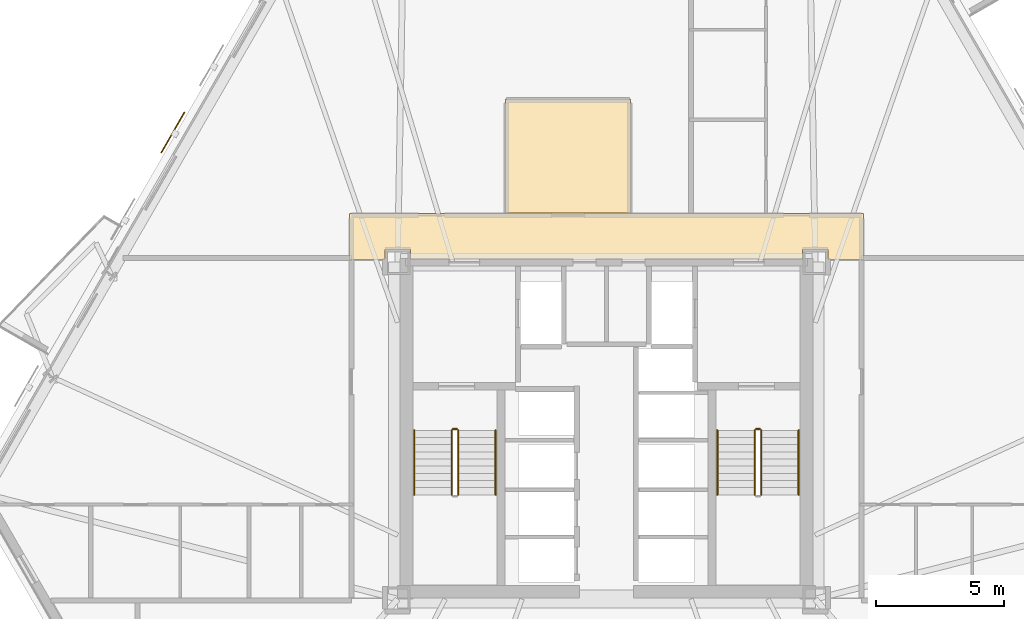
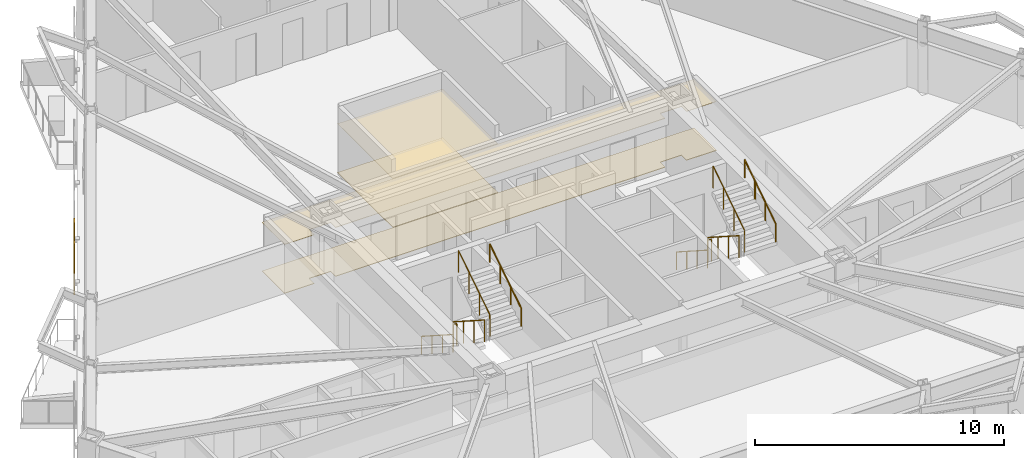
# One storey, part 11 of 12: 10 railings, 4 coverings, 1 shading device.
"""IFC4 building model written with IfcOpenShell, lengths in metres."""

from ifc_helpers import new_model, si_unit, direction, frame, origin, origin_2d, place, context, subcontext, project, spatial, polyline, rectangle, circle, outline, extrude, material, layer, layer_set, type_object, element, save


model = new_model("IFC4")

# Units and contexts
model_context = context("Model", 3, precision=1e-05, world=origin(), true_north=direction((0.0, 1.0)))
body_context = subcontext(model_context, "Body", "Model", "MODEL_VIEW")
ifc_project = project(units=[si_unit("LENGTHUNIT", "METRE"), si_unit("AREAUNIT", "SQUARE_METRE"), si_unit("VOLUMEUNIT", "CUBIC_METRE"), si_unit("PLANEANGLEUNIT", "RADIAN"), si_unit("MASSUNIT", "GRAM", prefix="KILO")], contexts=[model_context])

# Site, building, storey
site_placement = place(None, origin())
site = spatial("IfcSite", under=ifc_project, at=site_placement, CompositionType="ELEMENT")
building_placement = place(site_placement, origin())
building = spatial("IfcBuilding", under=site, at=building_placement, Name="Oramaril Tower", CompositionType="ELEMENT")
storey_placement = place(building_placement, frame((0.0, 0.0, 30.89990234375)))
storey = spatial("IfcBuildingStorey", under=building, at=storey_placement, Name="L07", CompositionType="ELEMENT", Elevation=30.89990234375)

# Coverings
ifc_material_1 = material(Name="Mineral Fibre Acoustic Ceiling")
ifc_layer_1 = layer(ifc_material_1, 0.02001953125)
ifc_layer_set_1 = layer_set([ifc_layer_1], Name="CVT-CEIL")
covering_type_1 = type_object("IfcCoveringType", Name="CVT-CEIL", PredefinedType="CEILING", material=ifc_layer_set_1)
covering_1_placement = place(storey_placement, frame((0.0, 0.0, 2.400146484375)))
element("IfcCovering", 1, at=covering_1_placement, inside=storey, type_object=covering_type_1, Name="L07 Acoustic Suspended Ceiling 2", PredefinedType="CEILING", context=body_context, shape_type="SweptSolid", body=[
    extrude(outline(polyline([(47.530029296875, 24.239990234375), (46.14501953125, 24.239990234375), (46.14501953125, 24.64501953125), (45.155029296875, 24.64501953125), (45.155029296875, 24.25), (29.844970703125, 24.25), (29.844970703125, 24.64501953125), (28.85498046875, 24.64501953125), (28.85498046875, 24.239990234375), (27.469970703125, 24.239990234375), (27.469970703125, 26.050048828125), (47.530029296875, 26.050048828125), (47.530029296875, 24.239990234375)])), origin(), (0.0, 0.0, 1.0), 0.02001953125),
])
covering_2_placement = place(storey_placement, frame((0.0, 0.0, 2.400146484375)))
element("IfcCovering", 2, at=covering_2_placement, inside=storey, type_object=covering_type_1, Name="L07 Acoustic Suspended Ceiling 5", PredefinedType="CEILING", context=body_context, shape_type="SweptSolid", body=[
    extrude(outline(polyline([(38.44189453125, 30.511962890625), (38.44189453125, 26.070068359375), (33.55810546875, 26.070068359375), (33.55810546875, 30.511962890625), (38.44189453125, 30.511962890625)])), origin(), (0.0, 0.0, 1.0), 0.02001953125),
])
ifc_material_2 = material(Name="Honed Quartzite Stone Flooring", Category="masonry")
ifc_layer_2 = layer(ifc_material_2, 0.02490234375)
ifc_layer_set_2 = layer_set([ifc_layer_2], Name="CVT-FLR")
covering_type_2 = type_object("IfcCoveringType", Name="CVT-FLR", PredefinedType="FLOORING", material=ifc_layer_set_2)
covering_3_placement = place(storey_placement, origin())
element("IfcCovering", 3, at=covering_3_placement, inside=storey, type_object=covering_type_2, Name="L07 Honed Stone Floor Finish 2", PredefinedType="FLOORING", context=body_context, shape_type="SweptSolid", body=[
    extrude(outline(polyline([(47.530029296875, 24.239990234375), (46.14501953125, 24.239990234375), (46.14501953125, 24.64501953125), (45.155029296875, 24.64501953125), (45.155029296875, 24.25), (29.844970703125, 24.25), (29.844970703125, 24.64501953125), (28.85498046875, 24.64501953125), (28.85498046875, 24.239990234375), (27.469970703125, 24.239990234375), (27.469970703125, 26.050048828125), (47.530029296875, 26.050048828125), (47.530029296875, 24.239990234375)])), origin(), (0.0, 0.0, 1.0), 0.025146484375),
])
covering_4_placement = place(storey_placement, origin())
element("IfcCovering", 4, at=covering_4_placement, inside=storey, type_object=covering_type_2, Name="L07 Honed Stone Floor Finish 5", PredefinedType="FLOORING", context=body_context, shape_type="SweptSolid", body=[
    extrude(outline(polyline([(38.44189453125, 30.511962890625), (38.44189453125, 26.070068359375), (33.55810546875, 26.070068359375), (33.55810546875, 30.511962890625), (38.44189453125, 30.511962890625)])), origin(), (0.0, 0.0, 1.0), 0.025146484375),
])

# Railings
ifc_material_3 = material(Name="Stainless Steel 316L", Category="steel")
railing_type_1 = type_object("IfcRailingType", Name="RLT-GRD", PredefinedType="GUARDRAIL", material=ifc_material_3)
railing_1_placement = place(storey_placement, frame((31.4599609375, 17.590087890625, 0.18017578125)))
element("IfcRailing", 5, at=railing_1_placement, inside=storey, type_object=railing_type_1, Name="L07 ST-1 stair guard 1", PredefinedType="GUARDRAIL", context=body_context, shape_type="SweptSolid", body=[
    extrude(circle(Radius=0.02392578125, at=origin_2d()), frame((0.0, 0.0, 1.076171875), z_axis=(0.0, -0.841199657755, 0.540724639528), x_axis=(1.0, 0.0, 0.0)), (0.0, 0.0, 1.0), 2.995849609375),
    extrude(circle(Radius=0.02099609375, at=origin_2d()), origin(), (0.0, 0.0, 1.0), 1.052001953125),
    extrude(circle(Radius=0.02099609375, at=origin_2d()), frame((0.0, -0.840087890625, 0.5400390625)), (0.0, 0.0, 1.0), 1.052001953125),
    extrude(circle(Radius=0.02099609375, at=origin_2d()), frame((0.0, -1.679931640625, 1.079833984375)), (0.0, 0.0, 1.0), 1.052001953125),
    extrude(circle(Radius=0.02099609375, at=origin_2d()), frame((0.0, -2.52001953125, 1.619873046875)), (0.0, 0.0, 1.0), 1.052001953125),
])
railing_2_placement = place(storey_placement, frame((31.7099609375, 15.070068359375, 1.97998046875)))
element("IfcRailing", 6, at=railing_2_placement, inside=storey, type_object=railing_type_1, Name="L07 ST-1 stair guard 3", PredefinedType="GUARDRAIL", context=body_context, shape_type="SweptSolid", body=[
    extrude(circle(Radius=0.02392578125, at=origin_2d()), frame((0.0, 0.0, 1.076171875), z_axis=(0.0, 0.841162588446, 0.540782303519), x_axis=(-1.0, 0.0, 0.0)), (0.0, 0.0, 1.0), 2.995849609375),
    extrude(circle(Radius=0.02099609375, at=origin_2d()), origin(), (0.0, 0.0, 1.0), 1.052001953125),
    extrude(circle(Radius=0.02099609375, at=origin_2d()), frame((0.0, 0.840087890625, 0.5400390625)), (0.0, 0.0, 1.0), 1.052001953125),
    extrude(circle(Radius=0.02099609375, at=origin_2d()), frame((0.0, 1.679931640625, 1.080078125)), (0.0, 0.0, 1.0), 1.052001953125),
    extrude(circle(Radius=0.02099609375, at=origin_2d()), frame((0.0, 2.52001953125, 1.6201171875)), (0.0, 0.0, 1.0), 1.052001953125),
])
railing_3_placement = place(storey_placement, frame((31.510009765625, 17.639892578125, 0.0)))
element("IfcRailing", 7, at=railing_3_placement, inside=storey, type_object=railing_type_1, Name="L07 ST-1 stair guard 4", PredefinedType="GUARDRAIL", context=body_context, shape_type="SweptSolid", body=[
    extrude(circle(Radius=0.02392578125, at=origin_2d()), frame((0.0, 0.0, 1.076171875), z_axis=(1.0, 0.0, 0.0), x_axis=(0.0, 1.0, 0.0)), (0.0, 0.0, 1.0), 0.14990234375),
    extrude(circle(Radius=0.02099609375, at=origin_2d()), origin(), (0.0, 0.0, 1.0), 1.052001953125),
    extrude(circle(Radius=0.02099609375, at=origin_2d()), frame((0.14990234375, 0.0, 0.0)), (0.0, 0.0, 1.0), 1.052001953125),
])
railing_4_placement = place(storey_placement, frame((43.2900390625, 17.590087890625, 0.18017578125)))
element("IfcRailing", 8, at=railing_4_placement, inside=storey, type_object=railing_type_1, Name="L07 ST-2 stair guard 1", PredefinedType="GUARDRAIL", context=body_context, shape_type="SweptSolid", body=[
    extrude(circle(Radius=0.02392578125, at=origin_2d()), frame((0.0, 0.0, 1.076171875), z_axis=(0.0, -0.841199657755, 0.540724639528), x_axis=(1.0, 0.0, 0.0)), (0.0, 0.0, 1.0), 2.995849609375),
    extrude(circle(Radius=0.02099609375, at=origin_2d()), origin(), (0.0, 0.0, 1.0), 1.052001953125),
    extrude(circle(Radius=0.02099609375, at=origin_2d()), frame((0.0, -0.840087890625, 0.5400390625)), (0.0, 0.0, 1.0), 1.052001953125),
    extrude(circle(Radius=0.02099609375, at=origin_2d()), frame((0.0, -1.679931640625, 1.079833984375)), (0.0, 0.0, 1.0), 1.052001953125),
    extrude(circle(Radius=0.02099609375, at=origin_2d()), frame((0.0, -2.52001953125, 1.619873046875)), (0.0, 0.0, 1.0), 1.052001953125),
])
railing_5_placement = place(storey_placement, frame((43.5400390625, 15.070068359375, 1.97998046875)))
element("IfcRailing", 9, at=railing_5_placement, inside=storey, type_object=railing_type_1, Name="L07 ST-2 stair guard 3", PredefinedType="GUARDRAIL", context=body_context, shape_type="SweptSolid", body=[
    extrude(circle(Radius=0.02392578125, at=origin_2d()), frame((0.0, 0.0, 1.076171875), z_axis=(0.0, 0.841162588446, 0.540782303519), x_axis=(-1.0, 0.0, 0.0)), (0.0, 0.0, 1.0), 2.995849609375),
    extrude(circle(Radius=0.02099609375, at=origin_2d()), origin(), (0.0, 0.0, 1.0), 1.052001953125),
    extrude(circle(Radius=0.02099609375, at=origin_2d()), frame((0.0, 0.840087890625, 0.5400390625)), (0.0, 0.0, 1.0), 1.052001953125),
    extrude(circle(Radius=0.02099609375, at=origin_2d()), frame((0.0, 1.679931640625, 1.080078125)), (0.0, 0.0, 1.0), 1.052001953125),
    extrude(circle(Radius=0.02099609375, at=origin_2d()), frame((0.0, 2.52001953125, 1.6201171875)), (0.0, 0.0, 1.0), 1.052001953125),
])
railing_6_placement = place(storey_placement, frame((43.340087890625, 17.639892578125, 0.0)))
element("IfcRailing", 10, at=railing_6_placement, inside=storey, type_object=railing_type_1, Name="L07 ST-2 stair guard 4", PredefinedType="GUARDRAIL", context=body_context, shape_type="SweptSolid", body=[
    extrude(circle(Radius=0.02392578125, at=origin_2d()), frame((0.0, 0.0, 1.076171875), z_axis=(1.0, 0.0, 0.0), x_axis=(0.0, 1.0, 0.0)), (0.0, 0.0, 1.0), 0.14990234375),
    extrude(circle(Radius=0.02099609375, at=origin_2d()), origin(), (0.0, 0.0, 1.0), 1.052001953125),
    extrude(circle(Radius=0.02099609375, at=origin_2d()), frame((0.14990234375, 0.0, 0.0)), (0.0, 0.0, 1.0), 1.052001953125),
])
ifc_material_4 = material(Name="Stainless Steel 316L", Category="steel")
railing_type_2 = type_object("IfcRailingType", Name="RLT-HND", PredefinedType="HANDRAIL", material=ifc_material_4)
railing_7_placement = place(storey_placement, frame((30.0, 17.590087890625, 0.18017578125)))
element("IfcRailing", 11, at=railing_7_placement, inside=storey, type_object=railing_type_2, Name="L07 ST-1 stair handrail 1", PredefinedType="HANDRAIL", context=body_context, shape_type="SweptSolid", body=[
    extrude(circle(Radius=0.02392578125, at=origin_2d()), frame((0.0, 0.0, 0.8759765625), z_axis=(0.0, -0.841199657755, 0.540724639528), x_axis=(1.0, 0.0, 0.0)), (0.0, 0.0, 1.0), 2.995849609375),
    extrude(circle(Radius=0.02099609375, at=origin_2d()), origin(), (0.0, 0.0, 1.0), 0.851806640625),
    extrude(circle(Radius=0.02099609375, at=origin_2d()), frame((0.0, -0.840087890625, 0.5400390625)), (0.0, 0.0, 1.0), 0.851806640625),
    extrude(circle(Radius=0.02099609375, at=origin_2d()), frame((0.0, -1.679931640625, 1.079833984375)), (0.0, 0.0, 1.0), 0.851806640625),
    extrude(circle(Radius=0.02099609375, at=origin_2d()), frame((0.0, -2.52001953125, 1.619873046875)), (0.0, 0.0, 1.0), 0.851806640625),
])
railing_8_placement = place(storey_placement, frame((33.169921875, 15.070068359375, 1.97998046875)))
element("IfcRailing", 12, at=railing_8_placement, inside=storey, type_object=railing_type_2, Name="L07 ST-1 stair handrail 2", PredefinedType="HANDRAIL", context=body_context, shape_type="SweptSolid", body=[
    extrude(circle(Radius=0.02392578125, at=origin_2d()), frame((0.0, 0.0, 0.8759765625), z_axis=(0.0, 0.841162588446, 0.540782303519), x_axis=(-1.0, 0.0, 0.0)), (0.0, 0.0, 1.0), 2.995849609375),
    extrude(circle(Radius=0.02099609375, at=origin_2d()), origin(), (0.0, 0.0, 1.0), 0.851806640625),
    extrude(circle(Radius=0.02099609375, at=origin_2d()), frame((0.0, 0.840087890625, 0.5400390625)), (0.0, 0.0, 1.0), 0.851806640625),
    extrude(circle(Radius=0.02099609375, at=origin_2d()), frame((0.0, 1.679931640625, 1.080078125)), (0.0, 0.0, 1.0), 0.851806640625),
    extrude(circle(Radius=0.02099609375, at=origin_2d()), frame((0.0, 2.52001953125, 1.6201171875)), (0.0, 0.0, 1.0), 0.851806640625),
])
railing_9_placement = place(storey_placement, frame((41.830078125, 17.590087890625, 0.18017578125)))
element("IfcRailing", 13, at=railing_9_placement, inside=storey, type_object=railing_type_2, Name="L07 ST-2 stair handrail 1", PredefinedType="HANDRAIL", context=body_context, shape_type="SweptSolid", body=[
    extrude(circle(Radius=0.02392578125, at=origin_2d()), frame((0.0, 0.0, 0.8759765625), z_axis=(0.0, -0.841199657755, 0.540724639528), x_axis=(1.0, 0.0, 0.0)), (0.0, 0.0, 1.0), 2.995849609375),
    extrude(circle(Radius=0.02099609375, at=origin_2d()), origin(), (0.0, 0.0, 1.0), 0.851806640625),
    extrude(circle(Radius=0.02099609375, at=origin_2d()), frame((0.0, -0.840087890625, 0.5400390625)), (0.0, 0.0, 1.0), 0.851806640625),
    extrude(circle(Radius=0.02099609375, at=origin_2d()), frame((0.0, -1.679931640625, 1.079833984375)), (0.0, 0.0, 1.0), 0.851806640625),
    extrude(circle(Radius=0.02099609375, at=origin_2d()), frame((0.0, -2.52001953125, 1.619873046875)), (0.0, 0.0, 1.0), 0.851806640625),
])
railing_10_placement = place(storey_placement, frame((45.0, 15.070068359375, 1.97998046875)))
element("IfcRailing", 14, at=railing_10_placement, inside=storey, type_object=railing_type_2, Name="L07 ST-2 stair handrail 2", PredefinedType="HANDRAIL", context=body_context, shape_type="SweptSolid", body=[
    extrude(circle(Radius=0.02392578125, at=origin_2d()), frame((0.0, 0.0, 0.8759765625), z_axis=(0.0, 0.841162588446, 0.540782303519), x_axis=(-1.0, 0.0, 0.0)), (0.0, 0.0, 1.0), 2.995849609375),
    extrude(circle(Radius=0.02099609375, at=origin_2d()), origin(), (0.0, 0.0, 1.0), 0.851806640625),
    extrude(circle(Radius=0.02099609375, at=origin_2d()), frame((0.0, 0.840087890625, 0.5400390625)), (0.0, 0.0, 1.0), 0.851806640625),
    extrude(circle(Radius=0.02099609375, at=origin_2d()), frame((0.0, 1.679931640625, 1.080078125)), (0.0, 0.0, 1.0), 0.851806640625),
    extrude(circle(Radius=0.02099609375, at=origin_2d()), frame((0.0, 2.52001953125, 1.6201171875)), (0.0, 0.0, 1.0), 0.851806640625),
])

# Shading device
shading_device_placement = place(storey_placement, frame((20.5751953125, 29.213623046875, -0.02001953125), z_axis=(0.0, 0.0, 1.0), x_axis=(-0.5, -0.866025403784, 0.0)))
element("IfcShadingDevice", 15, at=shading_device_placement, inside=storey, Name="L07 Perforated Ceramic Solar Screen", ObjectType="SCREEN", PredefinedType="USERDEFINED", context=body_context, shape_type="SweptSolid", body=[
    extrude(rectangle(XDim=1.8330078125, YDim=0.050048828125, at=origin_2d()), origin(), (0.0, 0.0, 1.0), 2.493896484375),
])

save(model, "model.ifc")
